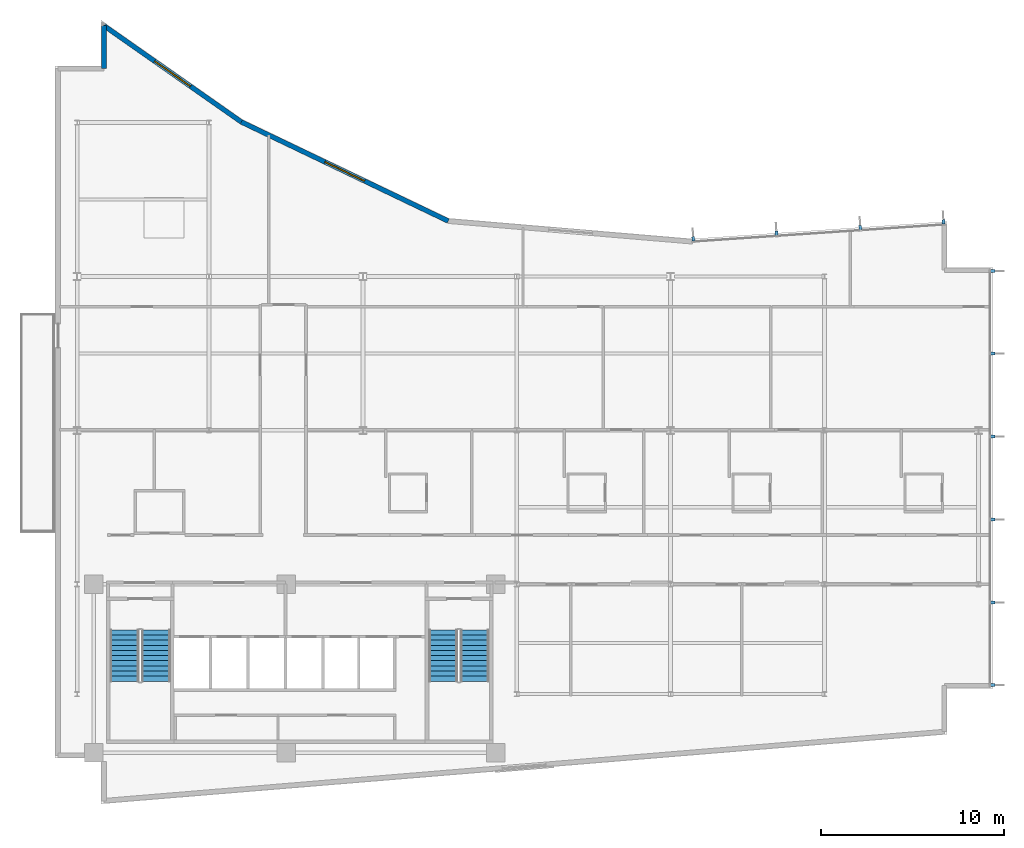
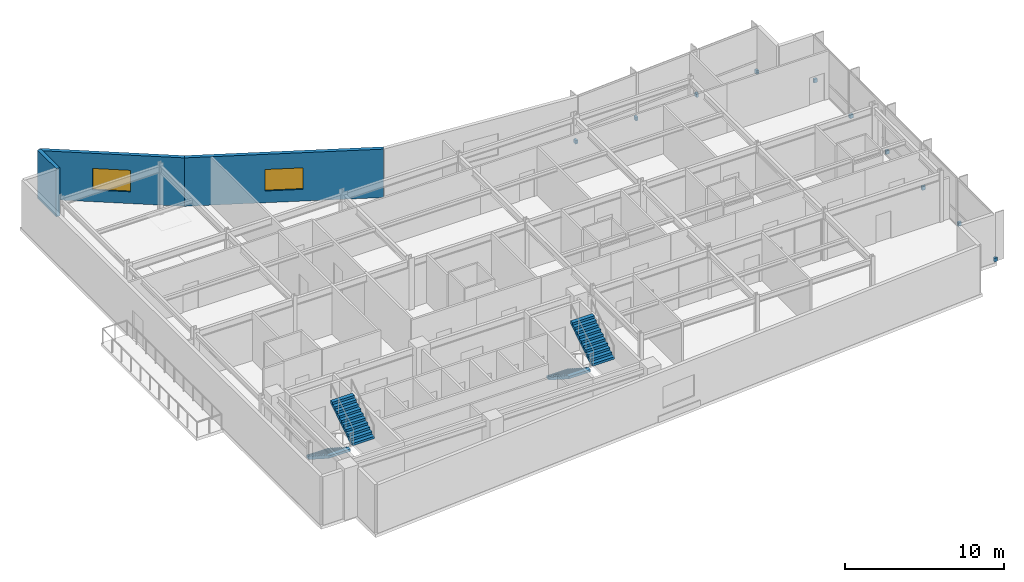
# One storey, part 13 of 16: 10 discrete accessories, 4 stair flights, 3 walls, 2 windows, 2 openings, 2 elements without a shape of their own.
"""IFC4 building model written with IfcOpenShell, lengths in metres."""

from ifc_helpers import new_model, si_unit, direction, frame, frame_2d, origin, origin_2d, place, context, subcontext, project, spatial, polyline, rectangle, outline, extrude, material, layer, layer_set, type_object, element, fill, aggregate, save


model = new_model("IFC4")

# Units and contexts
model_context = context("Model", 3, precision=1e-05, world=origin(), true_north=direction((0.0, 1.0)))
body_context = subcontext(model_context, "Body", "Model", "MODEL_VIEW")
ifc_project = project(units=[si_unit("LENGTHUNIT", "METRE"), si_unit("AREAUNIT", "SQUARE_METRE"), si_unit("VOLUMEUNIT", "CUBIC_METRE"), si_unit("PLANEANGLEUNIT", "RADIAN"), si_unit("MASSUNIT", "GRAM", prefix="KILO")], contexts=[model_context])

# Site, building, storey
site_placement = place(None, origin())
site = spatial("IfcSite", under=ifc_project, at=site_placement, CompositionType="ELEMENT")
building_placement = place(site_placement, origin())
building = spatial("IfcBuilding", under=site, at=building_placement, Name="Varnakote Quay Hospital", CompositionType="ELEMENT")
storey_placement = place(building_placement, frame((0.0, 0.0, 188.14990234375)))
storey = spatial("IfcBuildingStorey", under=building, at=storey_placement, Name="L46", CompositionType="ELEMENT", Elevation=188.14990234375)

# Wall, opening, window
ifc_material_1 = material(Name="Precast concrete N50 (f'c 50 MPa)", Category="concrete")
ifc_layer_1 = layer(ifc_material_1, 0.260009765625)
ifc_layer_set_1 = layer_set([ifc_layer_1], Name="Precast concrete N50 (f'c 50 MPa)")
wall_type = type_object("IfcWallType", Name="WL-EXT-BRICK-260", PredefinedType="STANDARD", material=ifc_layer_set_1)
wall_1_placement = place(storey_placement, frame((21.461181640625, 31.822998046875, 0.0), z_axis=(0.0, 0.0, 1.0), x_axis=(-0.901858094827, 0.432032379336, 0.0)))
wall_1 = element("IfcWall", 1, at=wall_1_placement, inside=storey, type_object=wall_type, Name="L46 Brick-Faced Precast Exterior Wall", PredefinedType="STANDARD", context=body_context, shape_type="SweptSolid", body=[
    extrude(rectangle(XDim=12.5322265625, YDim=0.260009765625, at=frame_2d((6.26611328125, 0.0))), origin(), (0.0, 0.0, 1.0), 3.710205078125),
])
opening_1_placement = place(wall_1_placement, frame((5.066162109375, 0.0, 0.89990234375)))
opening_1 = element("IfcOpeningElement", 2, at=opening_1_placement, cuts=wall_1, Name="Opening WN-0192", PredefinedType="OPENING", context=body_context, shape_type="SweptSolid", body=[
    extrude(rectangle(XDim=2.39990234375, YDim=1.64990234375, at=frame_2d((1.199951171875, 0.824951171875))), frame((0.0, 0.139892578125, 0.0), z_axis=(0.0, -1.0, 0.0), x_axis=(1.0, 0.0, 0.0)), (0.0, 0.0, 1.0), 0.280029296875),
])
ifc_material_2 = material(Name="Double-glazed low-E solar glass", Category="glass")
window_type = type_object("IfcWindowType", Name="WIN-CLIN-2400x1650", PartitioningType="SINGLE_PANEL", PredefinedType="WINDOW", material=ifc_material_2)
window_1_placement = place(opening_1_placement, origin())
window_1 = element("IfcWindow", 3, at=window_1_placement, inside=storey, type_object=window_type, Name="L46 Solar-Control Clinical Window", OverallHeight=1.64990234375, OverallWidth=2.39990234375, PartitioningType="SINGLE_PANEL", PredefinedType="WINDOW", context=body_context, shape_type="SweptSolid", body=[
    extrude(rectangle(XDim=2.39990234375, YDim=1.64990234375, at=frame_2d((1.199951171875, 0.824951171875))), frame((0.0, 0.030029296875, 0.0), z_axis=(0.0, -1.0, 0.0), x_axis=(1.0, 0.0, 0.0)), (0.0, 0.0, 1.0), 0.06005859375),
])
fill(opening_1, window_1)

wall_2_placement = place(storey_placement, frame((10.158935546875, 37.2373046875, 0.0), z_axis=(0.0, 0.0, 1.0), x_axis=(-0.818933702389, 0.57388813465, 0.0)))
wall_2 = element("IfcWall", 4, at=wall_2_placement, inside=storey, type_object=wall_type, Name="L46 Brick-Faced Precast Exterior Wall", PredefinedType="STANDARD", context=body_context, shape_type="SweptSolid", body=[
    extrude(rectangle(XDim=9.156982421875, YDim=0.260009765625, at=frame_2d((4.57861328125, 0.0))), origin(), (0.0, 0.0, 1.0), 3.710205078125),
])
opening_2_placement = place(wall_2_placement, frame((3.37841796875, 0.0, 0.89990234375)))
opening_2 = element("IfcOpeningElement", 5, at=opening_2_placement, cuts=wall_2, Name="Opening WN-0193", PredefinedType="OPENING", context=body_context, shape_type="SweptSolid", body=[
    extrude(rectangle(XDim=2.39990234375, YDim=1.64990234375, at=frame_2d((1.199951171875, 0.824951171875))), frame((0.0, 0.139892578125, 0.0), z_axis=(0.0, -1.0, 0.0), x_axis=(1.0, 0.0, 0.0)), (0.0, 0.0, 1.0), 0.280029296875),
])
window_2_placement = place(opening_2_placement, origin())
window_2 = element("IfcWindow", 6, at=window_2_placement, inside=storey, type_object=window_type, Name="L46 Solar-Control Clinical Window", OverallHeight=1.64990234375, OverallWidth=2.39990234375, PartitioningType="SINGLE_PANEL", PredefinedType="WINDOW", context=body_context, shape_type="SweptSolid", body=[
    extrude(rectangle(XDim=2.39990234375, YDim=1.64990234375, at=frame_2d((1.199951171875, 0.824951171875))), frame((0.0, 0.030029296875, 0.0), z_axis=(0.0, -1.0, 0.0), x_axis=(1.0, 0.0, 0.0)), (0.0, 0.0, 1.0), 0.06005859375),
])
fill(opening_2, window_2)

# Wall
wall_3_placement = place(storey_placement, frame((2.659912109375, 42.492431640625, 0.0), z_axis=(0.0, 0.0, 1.0), x_axis=(0.0, -1.0, 0.0)))
element("IfcWall", 7, at=wall_3_placement, inside=storey, type_object=wall_type, Name="L46 Brick-Faced Precast Exterior Wall", PredefinedType="STANDARD", context=body_context, shape_type="SweptSolid", body=[
    extrude(rectangle(XDim=2.3525390625, YDim=0.260009765625, at=frame_2d((1.17626953125, 0.0))), origin(), (0.0, 0.0, 1.0), 3.710205078125),
])

# Stair, stair flights
ifc_material_3 = material(Name="Concrete N40 (f'c 40 MPa)", Category="concrete")
stair_type = type_object("IfcStairType", Name="STR-CORE-1580", PredefinedType="HALF_TURN_STAIR", material=ifc_material_3)
stair_1_placement = place(storey_placement, origin())
stair_1 = element("IfcStair", 8, at=stair_1_placement, inside=storey, type_object=stair_type, Name="L46 Fire-Isolated Exit Stair ST-01", PredefinedType="HALF_TURN_STAIR")
ifc_material_4 = material(Name="Concrete N40 (f'c 40 MPa)", Category="concrete")
ifc_layer_2 = layer(ifc_material_4, 0.159912109375)
ifc_layer_set_2 = layer_set([ifc_layer_2], Name="Concrete N40 (f'c 40 MPa)")
stair_flight_type = type_object("IfcStairFlightType", Name="FLT-CORE-1580", PredefinedType="STRAIGHT", material=ifc_layer_set_2)
stair_flight_1_placement = place(storey_placement, frame((3.7900390625, 9.5, 0.0), z_axis=(0.0, 0.0, 1.0), x_axis=(0.0, -1.0, 0.0)))
stair_flight_1 = element("IfcStairFlight", 9, at=stair_flight_1_placement, type_object=stair_flight_type, Name="ST-01 flight 1", NumberOfRisers=11, NumberOfTreads=10, PredefinedType="STRAIGHT", RiserHeight=0.179545455, TreadLength=0.28, context=body_context, shape_type="SweptSolid", body=[
    extrude(outline(polyline([(0.0, 0.0), (0.0, 0.179443359375), (0.280029296875, 0.179443359375), (0.280029296875, 0.359130859375), (0.56005859375, 0.359130859375), (0.56005859375, 0.53857421875), (0.840087890625, 0.53857421875), (0.840087890625, 0.71826171875), (1.1201171875, 0.71826171875), (1.1201171875, 0.897705078125), (1.39990234375, 0.897705078125), (1.39990234375, 1.077392578125), (1.679931640625, 1.077392578125), (1.679931640625, 1.2568359375), (1.9599609375, 1.2568359375), (1.9599609375, 1.436279296875), (2.239990234375, 1.436279296875), (2.239990234375, 1.615966796875), (2.52001953125, 1.615966796875), (2.52001953125, 1.79541015625), (2.800048828125, 1.79541015625), (2.800048828125, 1.97509765625), (2.800048828125, 1.60546875), (0.296142578125, 0.0), (0.0, 0.0)])), frame((0.0, 0.7900390625, 0.0), z_axis=(0.0, -1.0, 0.0), x_axis=(1.0, 0.0, 0.0)), (0.0, 0.0, 1.0), 1.580078125),
])
stair_flight_2_placement = place(storey_placement, frame((5.510009765625, 6.699951171875, 1.97509765625), z_axis=(0.0, 0.0, 1.0), x_axis=(0.0, 1.0, 0.0)))
stair_flight_2 = element("IfcStairFlight", 10, at=stair_flight_2_placement, type_object=stair_flight_type, Name="ST-01 flight 2", NumberOfRisers=11, NumberOfTreads=10, PredefinedType="STRAIGHT", RiserHeight=0.179545455, TreadLength=0.28, context=body_context, shape_type="SweptSolid", body=[
    extrude(outline(polyline([(0.0, 0.0), (0.0, 0.179443359375), (0.280029296875, 0.179443359375), (0.280029296875, 0.359130859375), (0.56005859375, 0.359130859375), (0.56005859375, 0.53857421875), (0.840087890625, 0.53857421875), (0.840087890625, 0.71826171875), (1.1201171875, 0.71826171875), (1.1201171875, 0.897705078125), (1.39990234375, 0.897705078125), (1.39990234375, 1.077392578125), (1.679931640625, 1.077392578125), (1.679931640625, 1.2568359375), (1.9599609375, 1.2568359375), (1.9599609375, 1.436279296875), (2.239990234375, 1.436279296875), (2.239990234375, 1.615966796875), (2.52001953125, 1.615966796875), (2.52001953125, 1.79541015625), (2.800048828125, 1.79541015625), (2.800048828125, 1.97509765625), (2.800048828125, 1.60546875), (0.296142578125, 0.0), (0.0, 0.0)])), frame((0.0, 0.7900390625, 0.0), z_axis=(0.0, -1.0, 0.0), x_axis=(1.0, 0.0, 0.0)), (0.0, 0.0, 1.0), 1.580078125),
])
aggregate(stair_1, [stair_flight_1, stair_flight_2])

stair_2_placement = place(storey_placement, origin())
stair_2 = element("IfcStair", 11, at=stair_2_placement, inside=storey, type_object=stair_type, Name="L46 Fire-Isolated Exit Stair ST-02", PredefinedType="HALF_TURN_STAIR")
stair_flight_3_placement = place(storey_placement, frame((21.18994140625, 9.5, 0.0), z_axis=(0.0, 0.0, 1.0), x_axis=(0.0, -1.0, 0.0)))
stair_flight_3 = element("IfcStairFlight", 12, at=stair_flight_3_placement, type_object=stair_flight_type, Name="ST-02 flight 1", NumberOfRisers=11, NumberOfTreads=10, PredefinedType="STRAIGHT", RiserHeight=0.179545455, TreadLength=0.28, context=body_context, shape_type="SweptSolid", body=[
    extrude(outline(polyline([(0.0, 0.0), (0.0, 0.179443359375), (0.280029296875, 0.179443359375), (0.280029296875, 0.359130859375), (0.56005859375, 0.359130859375), (0.56005859375, 0.53857421875), (0.840087890625, 0.53857421875), (0.840087890625, 0.71826171875), (1.1201171875, 0.71826171875), (1.1201171875, 0.897705078125), (1.39990234375, 0.897705078125), (1.39990234375, 1.077392578125), (1.679931640625, 1.077392578125), (1.679931640625, 1.2568359375), (1.9599609375, 1.2568359375), (1.9599609375, 1.436279296875), (2.239990234375, 1.436279296875), (2.239990234375, 1.615966796875), (2.52001953125, 1.615966796875), (2.52001953125, 1.79541015625), (2.800048828125, 1.79541015625), (2.800048828125, 1.97509765625), (2.800048828125, 1.60546875), (0.296142578125, 0.0), (0.0, 0.0)])), frame((0.0, 0.7900390625, 0.0), z_axis=(0.0, -1.0, 0.0), x_axis=(1.0, 0.0, 0.0)), (0.0, 0.0, 1.0), 1.580078125),
])
stair_flight_4_placement = place(storey_placement, frame((22.909912109375, 6.699951171875, 1.97509765625), z_axis=(0.0, 0.0, 1.0), x_axis=(0.0, 1.0, 0.0)))
stair_flight_4 = element("IfcStairFlight", 13, at=stair_flight_4_placement, type_object=stair_flight_type, Name="ST-02 flight 2", NumberOfRisers=11, NumberOfTreads=10, PredefinedType="STRAIGHT", RiserHeight=0.179545455, TreadLength=0.28, context=body_context, shape_type="SweptSolid", body=[
    extrude(outline(polyline([(0.0, 0.0), (0.0, 0.179443359375), (0.280029296875, 0.179443359375), (0.280029296875, 0.359130859375), (0.56005859375, 0.359130859375), (0.56005859375, 0.53857421875), (0.840087890625, 0.53857421875), (0.840087890625, 0.71826171875), (1.1201171875, 0.71826171875), (1.1201171875, 0.897705078125), (1.39990234375, 0.897705078125), (1.39990234375, 1.077392578125), (1.679931640625, 1.077392578125), (1.679931640625, 1.2568359375), (1.9599609375, 1.2568359375), (1.9599609375, 1.436279296875), (2.239990234375, 1.436279296875), (2.239990234375, 1.615966796875), (2.52001953125, 1.615966796875), (2.52001953125, 1.79541015625), (2.800048828125, 1.79541015625), (2.800048828125, 1.97509765625), (2.800048828125, 1.60546875), (0.296142578125, 0.0), (0.0, 0.0)])), frame((0.0, 0.7900390625, 0.0), z_axis=(0.0, -1.0, 0.0), x_axis=(1.0, 0.0, 0.0)), (0.0, 0.0, 1.0), 1.580078125),
])
aggregate(stair_2, [stair_flight_3, stair_flight_4])

# Discrete accessories
ifc_material_5 = material(Name="Anodised aluminium 6063-T6 Bronze", Category="aluminium")
discrete_accessory_type = type_object("IfcDiscreteAccessoryType", Name="ACC-FIN-BRACKET-180", PredefinedType="BRACKET", material=ifc_material_5)
for number, where, z_axis, x_axis, name in (
    (14, (51.18994140625, 6.492431640625, 0.0), (0.0, 0.0, 1.0), (0.0, 1.0, 0.0), "L46 Curtain Wall Fin Fixing Bracket"),
    (15, (51.18994140625, 10.99609375, 0.0), (0.0, 0.0, 1.0), (0.0, 1.0, 0.0), "L46 Curtain Wall Fin Fixing Bracket"),
    (16, (51.18994140625, 15.531982421875, 0.0), (0.0, 0.0, 1.0), (0.0, 1.0, 0.0), "L46 Curtain Wall Fin Fixing Bracket"),
    (17, (51.18994140625, 20.068115234375, 0.0), (0.0, 0.0, 1.0), (0.0, 1.0, 0.0), "L46 Curtain Wall Fin Fixing Bracket"),
    (18, (51.18994140625, 24.60400390625, 0.0), (0.0, 0.0, 1.0), (0.0, 1.0, 0.0), "L46 Curtain Wall Fin Fixing Bracket"),
    (19, (51.18994140625, 29.107421875, 0.0), (0.0, 0.0, 1.0), (0.0, 1.0, 0.0), "L46 Curtain Wall Fin Fixing Bracket"),
    (20, (48.497314453125, 31.776123046875, 0.0), (0.0, 0.0, 1.0), (-0.997696134548, -0.067841160875, 0.0), "L46 Curtain Wall Fin Fixing Bracket"),
    (21, (43.95458984375, 31.46728515625, 0.0), (0.0, 0.0, 1.0), (-0.997696134548, -0.067841160875, 0.0), "L46 Curtain Wall Fin Fixing Bracket"),
    (22, (39.379638671875, 31.15625, 0.0), (0.0, 0.0, 1.0), (-0.997696134548, -0.067841160875, 0.0), "L46 Curtain Wall Fin Fixing Bracket"),
    (23, (34.8369140625, 30.847412109375, 0.0), (0.0, 0.0, 1.0), (-0.997696134548, -0.067841160875, 0.0), "L46 Curtain Wall Fin Fixing Bracket"),
):
    element("IfcDiscreteAccessory", number, at=place(storey_placement, frame(where, z_axis=z_axis, x_axis=x_axis)), inside=storey, type_object=discrete_accessory_type, Name=name, PredefinedType="BRACKET", context=body_context, shape_type="SweptSolid", body=[
        extrude(rectangle(XDim=0.159912109375, YDim=0.239990234375, at=origin_2d()), origin(), (0.0, 0.0, 1.0), 0.280029296875),
    ])

save(model, "model.ifc")
